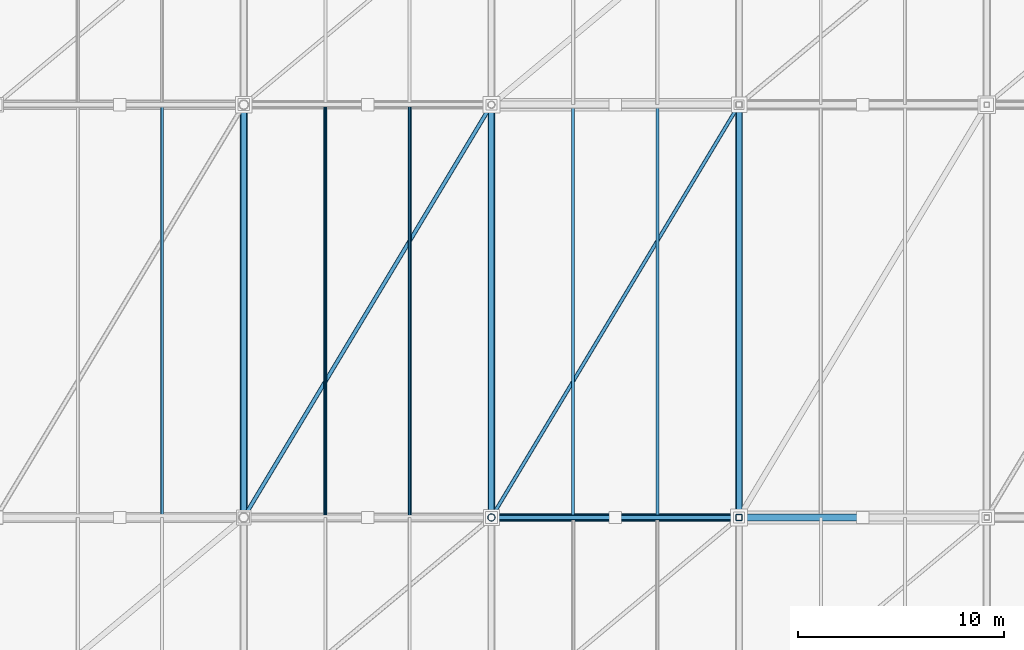
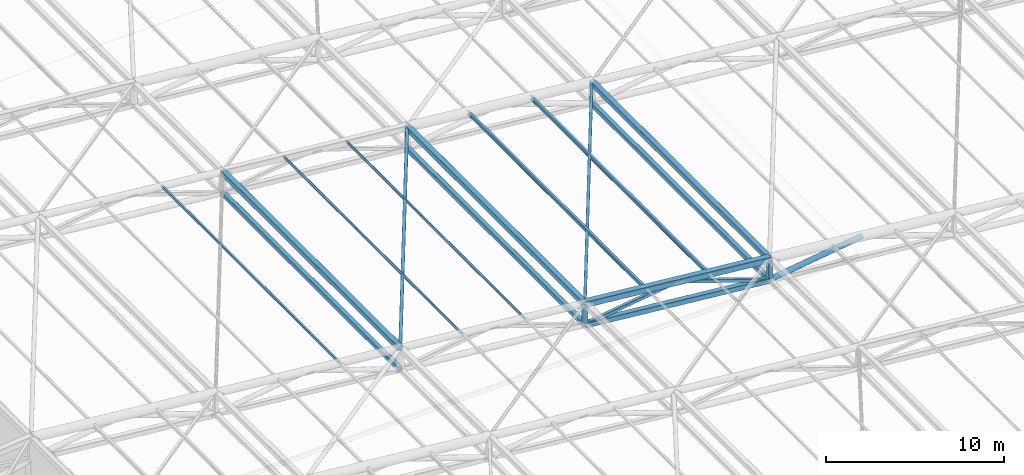
# One storey, part 16 of 44: 20 members.
"""IFC4 building model written with IfcOpenShell, lengths in metres."""

from ifc_helpers import new_model, si_unit, direction, frame, origin, origin_2d, place, context, subcontext, project, spatial, hollow_rectangle, hollow_circle, i_section, extrude, material, material_profile, profile_set, type_object, element, save


model = new_model("IFC4")

# Units and contexts
model_context = context("Model", 3, precision=1e-05, world=origin(), true_north=direction((0.0, 1.0)))
body_context = subcontext(model_context, "Body", "Model", "MODEL_VIEW")
ifc_project = project(units=[si_unit("LENGTHUNIT", "METRE"), si_unit("AREAUNIT", "SQUARE_METRE"), si_unit("VOLUMEUNIT", "CUBIC_METRE"), si_unit("PLANEANGLEUNIT", "RADIAN"), si_unit("MASSUNIT", "GRAM", prefix="KILO")], contexts=[model_context])

# Site, building, storey
site_placement = place(None, origin())
site = spatial("IfcSite", under=ifc_project, at=site_placement, CompositionType="ELEMENT")
building_placement = place(site_placement, origin())
building = spatial("IfcBuilding", under=site, at=building_placement, Name="Brinegate Civic Arena", CompositionType="ELEMENT")
storey_placement = place(building_placement, frame((0.0, 0.0, 29.39990234375)))
storey = spatial("IfcBuildingStorey", under=building, at=storey_placement, Name="RF", CompositionType="ELEMENT", Elevation=29.39990234375)

# Members
ifc_material = material(Name="Steel S355", Category="steel")
ifc_material_profile_1 = material_profile(ifc_material, hollow_circle(Radius=0.083984375, WallThickness=0.008056640625, at=origin_2d()), Name="CHS168X8")
ifc_profile_set_1 = profile_set([ifc_material_profile_1], Name="Steel S355")
member_type_1 = type_object("IfcMemberType", Name="RF-PURLIN-CHS168", PredefinedType="PURLIN", material=ifc_profile_set_1)
for number, where, z_axis, x_axis, name in (
    (1, (87.9599609375, 52.0, 7.960205078125), (0.0, 1.0, 0.0), (-1.0, 0.0, 0.0), "Roof Purlin RFP-061"),
    (2, (92.0400390625, 52.0, 7.5771484375), (0.0, 1.0, 0.0), (-1.0, 0.0, 0.0), "Roof Purlin RFP-062"),
):
    element("IfcMember", number, at=place(storey_placement, frame(where, z_axis=z_axis, x_axis=x_axis)), inside=storey, type_object=member_type_1, Name=name, PredefinedType="PURLIN", context=body_context, shape_type="SweptSolid", body=[
        extrude(hollow_circle(Radius=0.083984375, WallThickness=0.008056640625, at=origin_2d()), origin(), (0.0, 0.0, 1.0), 20.0),
    ])
ifc_material_profile_2 = material_profile(ifc_material, hollow_rectangle(XDim=0.139892578125, YDim=0.139892578125, WallThickness=0.008056640625, InnerFilletRadius=0.008056640625, OuterFilletRadius=0.01611328125, at=origin_2d()), Name="SHS140X8")
ifc_profile_set_2 = profile_set([ifc_material_profile_2], Name="Steel S355")
member_type_2 = type_object("IfcMemberType", Name="RF-PURLIN-SHS140", PredefinedType="PURLIN", material=ifc_profile_set_2)
member_1_placement = place(storey_placement, frame((80.0400390625, 52.0, 8.716064453125), z_axis=(0.0, 1.0, 0.0), x_axis=(-1.0, 0.0, 0.0)))
element("IfcMember", 3, at=member_1_placement, inside=storey, type_object=member_type_2, Name="Roof Purlin RFP-060", PredefinedType="PURLIN", context=body_context, shape_type="SweptSolid", body=[
    extrude(hollow_rectangle(XDim=0.139892578125, YDim=0.139892578125, WallThickness=0.008056640625, InnerFilletRadius=0.008056640625, OuterFilletRadius=0.01611328125, at=origin_2d()), origin(), (0.0, 0.0, 1.0), 20.0),
])
ifc_material_profile_3 = material_profile(ifc_material, i_section(OverallWidth=0.14794921875, OverallDepth=0.26611328125, WebThickness=0.008056640625, FlangeThickness=0.012939453125, FilletRadius=0.011962890625, at=origin_2d()), Name="W250X45")
ifc_profile_set_3 = profile_set([ifc_material_profile_3], Name="Steel S355")
member_type_3 = type_object("IfcMemberType", Name="RF-PURLIN-W250", PredefinedType="PURLIN", material=ifc_profile_set_3)
for number, where, z_axis, x_axis, name in (
    (4, (99.9599609375, 52.0, 6.7861328125), (0.0, 1.0, 0.0), (-1.0, 0.0, 0.0), "Roof Purlin RFP-063"),
    (5, (104.0400390625, 52.0, 6.403076171875), (0.0, 1.0, 0.0), (-1.0, 0.0, 0.0), "Roof Purlin RFP-064"),
):
    element("IfcMember", number, at=place(storey_placement, frame(where, z_axis=z_axis, x_axis=x_axis)), inside=storey, type_object=member_type_3, Name=name, PredefinedType="PURLIN", context=body_context, shape_type="SweptSolid", body=[
        extrude(i_section(OverallWidth=0.14794921875, OverallDepth=0.26611328125, WebThickness=0.008056640625, FlangeThickness=0.012939453125, FilletRadius=0.011962890625, at=origin_2d()), origin(), (0.0, 0.0, 1.0), 20.0),
    ])
ifc_material_profile_4 = material_profile(ifc_material, hollow_circle(Radius=0.177978515625, WallThickness=0.013916015625, at=origin_2d()), Name="CHS356X14")
ifc_profile_set_4 = profile_set([ifc_material_profile_4], Name="Steel S355")
member_type_4 = type_object("IfcMemberType", Name="SF-BRACE-CHS356", PredefinedType="BRACE", material=ifc_profile_set_4)
member_2_placement = place(storey_placement, frame((108.0, 52.0, 4.60009765625), z_axis=(0.989226142737, 0.0, 0.1463954867), x_axis=(0.0, 1.0, 0.0)))
element("IfcMember", 6, at=member_2_placement, inside=storey, type_object=member_type_4, Name="Space Frame Web Brace D1-4-6", PredefinedType="BRACE", context=body_context, shape_type="SweptSolid", body=[
    extrude(hollow_circle(Radius=0.177978515625, WallThickness=0.013916015625, at=origin_2d()), origin(), (0.0, 0.0, 1.0), 6.0654296875),
])
ifc_material_profile_5 = material_profile(ifc_material, hollow_rectangle(XDim=0.179931640625, YDim=0.179931640625, WallThickness=0.010009765625, InnerFilletRadius=0.010009765625, OuterFilletRadius=0.02001953125, at=origin_2d()), Name="SHS180X10")
ifc_profile_set_5 = profile_set([ifc_material_profile_5], Name="Steel S355")
member_type_5 = type_object("IfcMemberType", Name="SF-BRACE-SHS180", PredefinedType="BRACE", material=ifc_profile_set_5)
member_3_placement = place(storey_placement, frame((96.0, 52.0, 7.175048828125), z_axis=(0.513898306264, 0.856497177106, -0.048177966212), x_axis=(-0.857492925713, 0.514495755428, 0.0)))
element("IfcMember", 7, at=member_3_placement, inside=storey, type_object=member_type_5, Name="Roof Plan Diagonal Brace PL-4-5", PredefinedType="BRACE", context=body_context, shape_type="SweptSolid", body=[
    extrude(hollow_rectangle(XDim=0.179931640625, YDim=0.179931640625, WallThickness=0.010009765625, InnerFilletRadius=0.010009765625, OuterFilletRadius=0.02001953125, at=origin_2d()), origin(), (0.0, 0.0, 1.0), 23.350830078125),
])
ifc_material_profile_6 = material_profile(ifc_material, hollow_rectangle(XDim=0.199951171875, YDim=0.199951171875, WallThickness=0.010009765625, InnerFilletRadius=0.010009765625, OuterFilletRadius=0.02001953125, at=origin_2d()), Name="SHS200X10")
ifc_profile_set_6 = profile_set([ifc_material_profile_6], Name="Steel S355")
member_type_6 = type_object("IfcMemberType", Name="SF-BRACE-SHS200", PredefinedType="BRACE", material=ifc_profile_set_6)
member_4_placement = place(storey_placement, frame((84.0, 52.0, 8.300048828125), z_axis=(0.513898306264, 0.856497177106, -0.048177966212), x_axis=(-0.857492925713, 0.514495755428, 0.0)))
element("IfcMember", 8, at=member_4_placement, inside=storey, type_object=member_type_6, Name="Roof Plan Diagonal Brace PL-4-4", PredefinedType="BRACE", context=body_context, shape_type="SweptSolid", body=[
    extrude(hollow_rectangle(XDim=0.199951171875, YDim=0.199951171875, WallThickness=0.010009765625, InnerFilletRadius=0.010009765625, OuterFilletRadius=0.02001953125, at=origin_2d()), origin(), (0.0, 0.0, 1.0), 23.350830078125),
])
ifc_material_profile_7 = material_profile(ifc_material, hollow_rectangle(XDim=0.219970703125, YDim=0.219970703125, WallThickness=0.011962890625, InnerFilletRadius=0.011962890625, OuterFilletRadius=0.02392578125, at=origin_2d()), Name="SHS220X12")
ifc_profile_set_7 = profile_set([ifc_material_profile_7], Name="Steel S355")
member_type_7 = type_object("IfcMemberType", Name="SF-BRACE-SHS220", PredefinedType="BRACE", material=ifc_profile_set_7)
member_5_placement = place(storey_placement, frame((96.0, 52.0, 5.72509765625), z_axis=(0.989226142737, 0.0, 0.1463954867), x_axis=(0.0, 1.0, 0.0)))
element("IfcMember", 9, at=member_5_placement, inside=storey, type_object=member_type_7, Name="Space Frame Web Brace D1-4-5", PredefinedType="BRACE", context=body_context, shape_type="SweptSolid", body=[
    extrude(hollow_rectangle(XDim=0.219970703125, YDim=0.219970703125, WallThickness=0.011962890625, InnerFilletRadius=0.011962890625, OuterFilletRadius=0.02392578125, at=origin_2d()), origin(), (0.0, 0.0, 1.0), 6.0654296875),
])
member_6_placement = place(storey_placement, frame((102.0, 52.0, 6.613037109375), z_axis=(0.948068139281, 0.0, -0.318067293635), x_axis=(0.0, 1.0, 0.0)))
element("IfcMember", 10, at=member_6_placement, inside=storey, type_object=member_type_7, Name="Space Frame Web Brace D2-4-5", PredefinedType="BRACE", context=body_context, shape_type="SweptSolid", body=[
    extrude(hollow_rectangle(XDim=0.219970703125, YDim=0.219970703125, WallThickness=0.011962890625, InnerFilletRadius=0.011962890625, OuterFilletRadius=0.02392578125, at=origin_2d()), origin(), (0.0, 0.0, 1.0), 6.32861328125),
])
ifc_material_profile_8 = material_profile(ifc_material, hollow_rectangle(XDim=0.300048828125, YDim=0.300048828125, WallThickness=0.01611328125, InnerFilletRadius=0.01611328125, OuterFilletRadius=0.031982421875, at=origin_2d()), Name="SHS300X16")
ifc_profile_set_8 = profile_set([ifc_material_profile_8], Name="Steel S355")
member_type_8 = type_object("IfcMemberType", Name="SF-CHORD-SHS300", PredefinedType="CHORD", material=ifc_profile_set_8)
for number, where, z_axis, x_axis, name in (
    (11, (84.0, 52.0, 6.85009765625), (0.0, 1.0, 0.0), (-1.0, 0.0, 0.0), "Space Frame Cross Bottom Chord BY-4-4"),
    (12, (96.0, 52.0, 5.72509765625), (0.0, 1.0, 0.0), (-1.0, 0.0, 0.0), "Space Frame Cross Bottom Chord BY-4-5"),
    (13, (108.0, 52.0, 4.60009765625), (0.0, 1.0, 0.0), (-1.0, 0.0, 0.0), "Space Frame Cross Bottom Chord BY-4-6"),
):
    element("IfcMember", number, at=place(storey_placement, frame(where, z_axis=z_axis, x_axis=x_axis)), inside=storey, type_object=member_type_8, Name=name, PredefinedType="CHORD", context=body_context, shape_type="SweptSolid", body=[
        extrude(hollow_rectangle(XDim=0.300048828125, YDim=0.300048828125, WallThickness=0.01611328125, InnerFilletRadius=0.01611328125, OuterFilletRadius=0.031982421875, at=origin_2d()), origin(), (0.0, 0.0, 1.0), 20.0),
    ])
ifc_material_profile_9 = material_profile(ifc_material, hollow_rectangle(XDim=0.35009765625, YDim=0.35009765625, WallThickness=0.01611328125, InnerFilletRadius=0.01611328125, OuterFilletRadius=0.031982421875, at=origin_2d()), Name="SHS350X16")
ifc_profile_set_9 = profile_set([ifc_material_profile_9], Name="Steel S355")
member_type_9 = type_object("IfcMemberType", Name="SF-CHORD-SHS350", PredefinedType="CHORD", material=ifc_profile_set_9)
member_7_placement = place(storey_placement, frame((96.0, 52.0, 5.72509765625), z_axis=(0.995634226059, 0.0, -0.093340708693), x_axis=(0.0, 1.0, 0.0)))
element("IfcMember", 14, at=member_7_placement, inside=storey, type_object=member_type_9, Name="Space Frame Bottom Chord BX-4-5", PredefinedType="CHORD", context=body_context, shape_type="SweptSolid", body=[
    extrude(hollow_rectangle(XDim=0.35009765625, YDim=0.35009765625, WallThickness=0.01611328125, InnerFilletRadius=0.01611328125, OuterFilletRadius=0.031982421875, at=origin_2d()), origin(), (0.0, 0.0, 1.0), 12.052734375),
])
for number, where, z_axis, x_axis, name in (
    (15, (84.0, 52.0, 8.300048828125), (0.0, 1.0, 0.0), (-1.0, 0.0, 0.0), "Space Frame Cross Top Chord TY-4-4"),
    (16, (96.0, 52.0, 7.175048828125), (0.0, 1.0, 0.0), (-1.0, 0.0, 0.0), "Space Frame Cross Top Chord TY-4-5"),
    (17, (108.0, 52.0, 6.050048828125), (0.0, 1.0, 0.0), (-1.0, 0.0, 0.0), "Space Frame Cross Top Chord TY-4-6"),
):
    element("IfcMember", number, at=place(storey_placement, frame(where, z_axis=z_axis, x_axis=x_axis)), inside=storey, type_object=member_type_9, Name=name, PredefinedType="CHORD", context=body_context, shape_type="SweptSolid", body=[
        extrude(hollow_rectangle(XDim=0.35009765625, YDim=0.35009765625, WallThickness=0.01611328125, InnerFilletRadius=0.01611328125, OuterFilletRadius=0.031982421875, at=origin_2d()), origin(), (0.0, 0.0, 1.0), 20.0),
    ])
ifc_material_profile_10 = material_profile(ifc_material, hollow_rectangle(XDim=0.39990234375, YDim=0.39990234375, WallThickness=0.02001953125, InnerFilletRadius=0.02001953125, OuterFilletRadius=0.0400390625, at=origin_2d()), Name="SHS400X20")
ifc_profile_set_10 = profile_set([ifc_material_profile_10], Name="Steel S355")
member_type_10 = type_object("IfcMemberType", Name="SF-CHORD-SHS400", PredefinedType="CHORD", material=ifc_profile_set_10)
member_8_placement = place(storey_placement, frame((96.0, 52.0, 7.175048828125), z_axis=(0.995634226059, 0.0, -0.093340708693), x_axis=(0.0, 1.0, 0.0)))
element("IfcMember", 18, at=member_8_placement, inside=storey, type_object=member_type_10, Name="Space Frame Top Chord TX-4-5", PredefinedType="CHORD", context=body_context, shape_type="SweptSolid", body=[
    extrude(hollow_rectangle(XDim=0.39990234375, YDim=0.39990234375, WallThickness=0.02001953125, InnerFilletRadius=0.02001953125, OuterFilletRadius=0.0400390625, at=origin_2d()), origin(), (0.0, 0.0, 1.0), 12.052734375),
])
ifc_material_profile_11 = material_profile(ifc_material, hollow_circle(Radius=0.177978515625, WallThickness=0.013916015625, at=origin_2d()), Name="CHS356X14")
ifc_profile_set_11 = profile_set([ifc_material_profile_11], Name="Steel S355")
member_type_11 = type_object("IfcMemberType", Name="SF-STRUT-CHS356", PredefinedType="STRUT", material=ifc_profile_set_11)
member_9_placement = place(storey_placement, frame((96.0, 52.0, 5.72509765625), z_axis=(0.0, 0.0, 1.0), x_axis=(1.0, 0.0, 0.0)))
element("IfcMember", 19, at=member_9_placement, inside=storey, type_object=member_type_11, Name="Space Frame Vertical Post V-4-5", PredefinedType="STRUT", context=body_context, shape_type="SweptSolid", body=[
    extrude(hollow_circle(Radius=0.177978515625, WallThickness=0.013916015625, at=origin_2d()), origin(), (0.0, 0.0, 1.0), 1.449951171875),
])
ifc_material_profile_12 = material_profile(ifc_material, hollow_rectangle(XDim=0.300048828125, YDim=0.300048828125, WallThickness=0.01611328125, InnerFilletRadius=0.01611328125, OuterFilletRadius=0.031982421875, at=origin_2d()), Name="SHS300X16")
ifc_profile_set_12 = profile_set([ifc_material_profile_12], Name="Steel S355")
member_type_12 = type_object("IfcMemberType", Name="SF-STRUT-SHS300", PredefinedType="STRUT", material=ifc_profile_set_12)
member_10_placement = place(storey_placement, frame((108.0, 52.0, 4.60009765625), z_axis=(0.0, 0.0, 1.0), x_axis=(1.0, 0.0, 0.0)))
element("IfcMember", 20, at=member_10_placement, inside=storey, type_object=member_type_12, Name="Space Frame Vertical Post V-4-6", PredefinedType="STRUT", context=body_context, shape_type="SweptSolid", body=[
    extrude(hollow_rectangle(XDim=0.300048828125, YDim=0.300048828125, WallThickness=0.01611328125, InnerFilletRadius=0.01611328125, OuterFilletRadius=0.031982421875, at=origin_2d()), origin(), (0.0, 0.0, 1.0), 1.449951171875),
])

save(model, "model.ifc")
